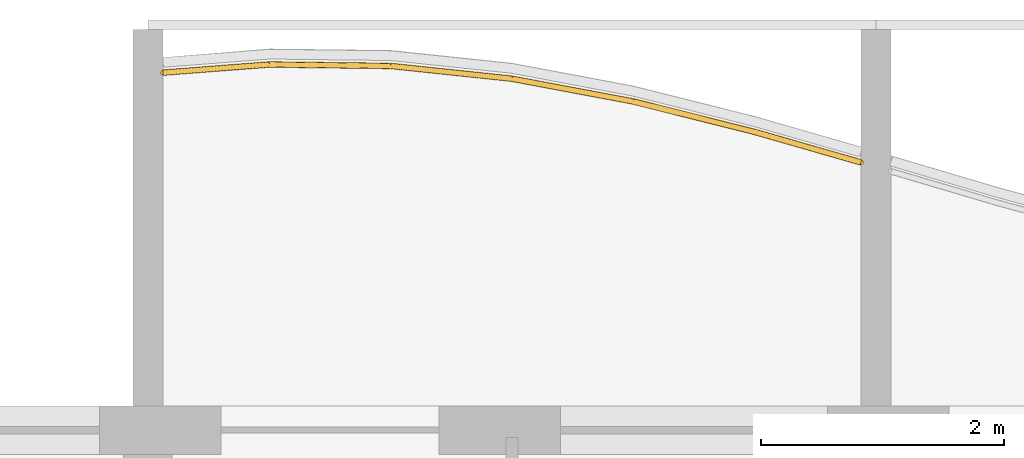
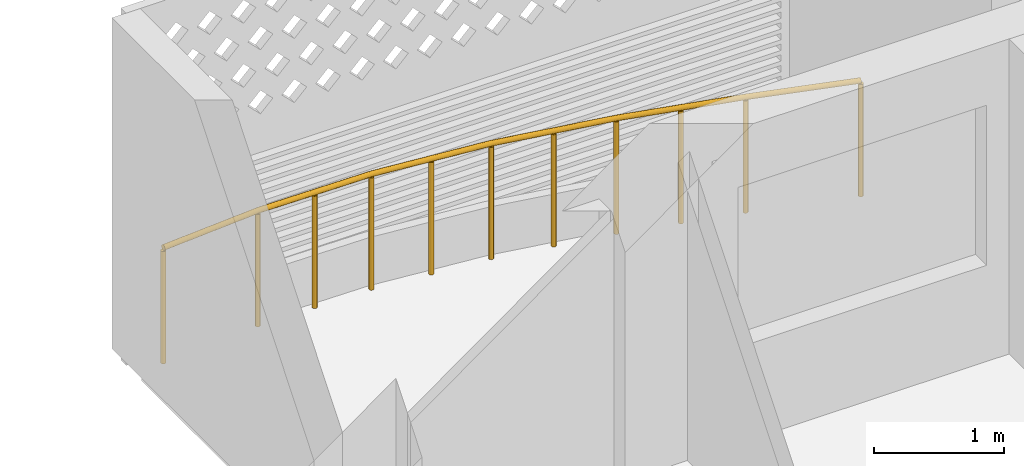
# One storey, part 25 of 39: 1 railing.
"""IFC4 building model written with IfcOpenShell, lengths in metres."""

from ifc_helpers import new_model, si_unit, direction, frame, origin, origin_2d, place, context, subcontext, project, spatial, circle, extrude, material, type_object, element, save


model = new_model("IFC4")

# Units and contexts
model_context = context("Model", 3, precision=1e-05, world=origin(), true_north=direction((0.0, 1.0)))
body_context = subcontext(model_context, "Body", "Model", "MODEL_VIEW")
ifc_project = project(units=[si_unit("LENGTHUNIT", "METRE"), si_unit("AREAUNIT", "SQUARE_METRE"), si_unit("VOLUMEUNIT", "CUBIC_METRE"), si_unit("PLANEANGLEUNIT", "RADIAN"), si_unit("MASSUNIT", "GRAM", prefix="KILO")], contexts=[model_context])

# Site, building, storey
site_placement = place(None, origin())
site = spatial("IfcSite", under=ifc_project, at=site_placement, CompositionType="ELEMENT")
building_placement = place(site_placement, origin())
building = spatial("IfcBuilding", under=site, at=building_placement, Name="Poui Terraces", CompositionType="ELEMENT")
storey_placement = place(building_placement, frame((0.0, 0.0, 63.0)))
storey = spatial("IfcBuildingStorey", under=building, at=storey_placement, Name="L17", CompositionType="ELEMENT", Elevation=63.0)

# Railing
ifc_material = material(Name="Painted steel fretwork", Category="steel")
railing_type = type_object("IfcRailingType", Name="BALCONY GUARD 1100", PredefinedType="GUARDRAIL", material=ifc_material)
railing_placement = place(storey_placement, frame((36.125, 47.74609375, 0.0)))
element("IfcRailing", 1, at=railing_placement, inside=storey, type_object=railing_type, Name="BALCONY GUARD", PredefinedType="GUARDRAIL", context=body_context, shape_type="SweptSolid", body=[
    extrude(circle(Radius=0.02392578125, at=origin_2d()), frame((0.0, 0.0, 1.076171875), z_axis=(0.997069195359, 0.076505030336, 0.0), x_axis=(-0.076505030336, 0.997069195359, 0.0)), (0.0, 0.0, 1.0), 0.877685546875),
    extrude(circle(Radius=0.02392578125, at=origin_2d()), frame((0.875, 0.067138671875, 1.076171875), z_axis=(0.999928452303, -0.011962034708, 0.0), x_axis=(0.011962034708, 0.999928452303, 0.0)), (0.0, 0.0, 1.0), 1.0),
    extrude(circle(Radius=0.02392578125, at=origin_2d()), frame((1.875, 0.05517578125, 1.076171875), z_axis=(0.994509443434, -0.104646867705, 0.0), x_axis=(0.104646867705, 0.994509443434, 0.0)), (0.0, 0.0, 1.0), 1.005615234375),
    extrude(circle(Radius=0.02392578125, at=origin_2d()), frame((2.875, -0.050048828125, 1.076171875), z_axis=(0.982828697247, -0.184520329146, 0.0), x_axis=(0.184520329146, 0.982828697247, 0.0)), (0.0, 0.0, 1.0), 1.017578125),
    extrude(circle(Radius=0.02392578125, at=origin_2d()), frame((3.875, -0.23779296875, 1.076171875), z_axis=(0.969975109493, -0.243204208362, 0.0), x_axis=(0.243204208362, 0.969975109493, 0.0)), (0.0, 0.0, 1.0), 1.031005859375),
    extrude(circle(Radius=0.02392578125, at=origin_2d()), frame((4.875, -0.488525390625, 1.076171875), z_axis=(0.96124005163, -0.275712827309, 0.0), x_axis=(0.275712827309, 0.96124005163, 0.0)), (0.0, 0.0, 1.0), 0.910400390625),
    extrude(circle(Radius=0.02099609375, at=origin_2d()), origin(), (0.0, 0.0, 1.0), 1.052001953125),
    extrude(circle(Radius=0.02099609375, at=origin_2d()), frame((0.875, 0.067138671875, 0.0)), (0.0, 0.0, 1.0), 1.052001953125),
    extrude(circle(Radius=0.02099609375, at=origin_2d()), frame((1.375, 0.06103515625, 0.0)), (0.0, 0.0, 1.0), 1.052001953125),
    extrude(circle(Radius=0.02099609375, at=origin_2d()), frame((1.875, 0.05517578125, 0.0)), (0.0, 0.0, 1.0), 1.052001953125),
    extrude(circle(Radius=0.02099609375, at=origin_2d()), frame((2.375, 0.00244140625, 0.0)), (0.0, 0.0, 1.0), 1.052001953125),
    extrude(circle(Radius=0.02099609375, at=origin_2d()), frame((2.875, -0.050048828125, 0.0)), (0.0, 0.0, 1.0), 1.052001953125),
    extrude(circle(Radius=0.02099609375, at=origin_2d()), frame((3.375, -0.14404296875, 0.0)), (0.0, 0.0, 1.0), 1.052001953125),
    extrude(circle(Radius=0.02099609375, at=origin_2d()), frame((3.875, -0.23779296875, 0.0)), (0.0, 0.0, 1.0), 1.052001953125),
    extrude(circle(Radius=0.02099609375, at=origin_2d()), frame((4.375, -0.36328125, 0.0)), (0.0, 0.0, 1.0), 1.052001953125),
    extrude(circle(Radius=0.02099609375, at=origin_2d()), frame((4.875, -0.488525390625, 0.0)), (0.0, 0.0, 1.0), 1.052001953125),
    extrude(circle(Radius=0.02099609375, at=origin_2d()), frame((5.75, -0.739501953125, 0.0)), (0.0, 0.0, 1.0), 1.052001953125),
])

save(model, "model.ifc")
